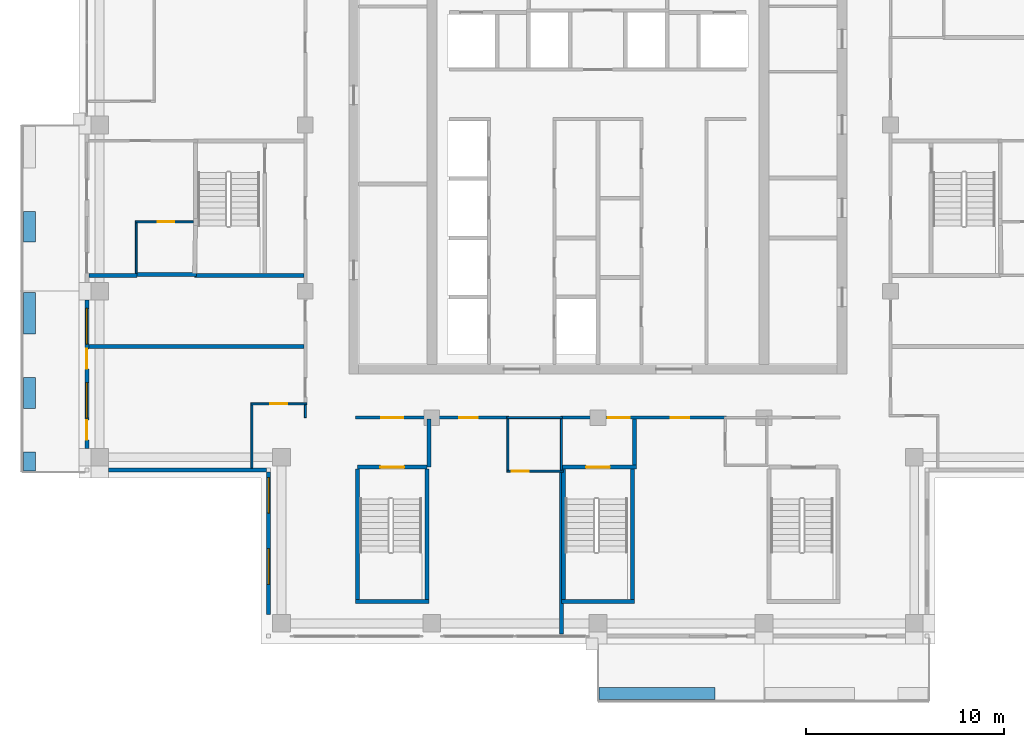
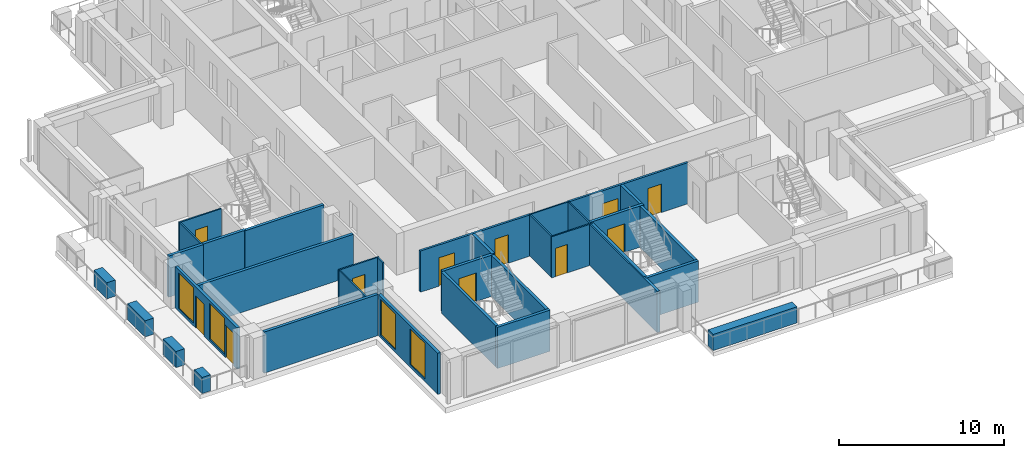
# One storey, part 8 of 17: 34 walls, 11 doors, 4 windows, 15 openings.
"""IFC4 building model written with IfcOpenShell, lengths in metres."""

from ifc_helpers import new_model, si_unit, direction, frame, frame_2d, origin, place, context, subcontext, project, spatial, rectangle, extrude, material, layer, layer_set, type_object, element, fill, save


model = new_model("IFC4")

# Units and contexts
model_context = context("Model", 3, precision=1e-05, world=origin(), true_north=direction((0.0, 1.0)))
body_context = subcontext(model_context, "Body", "Model", "MODEL_VIEW")
ifc_project = project(units=[si_unit("LENGTHUNIT", "METRE"), si_unit("AREAUNIT", "SQUARE_METRE"), si_unit("VOLUMEUNIT", "CUBIC_METRE"), si_unit("PLANEANGLEUNIT", "RADIAN"), si_unit("MASSUNIT", "GRAM", prefix="KILO")], contexts=[model_context])

# Site, building, storey
site_placement = place(None, origin())
site = spatial("IfcSite", under=ifc_project, at=site_placement, CompositionType="ELEMENT")
building_placement = place(site_placement, origin())
building = spatial("IfcBuilding", under=site, at=building_placement, Name="Vermilion Ogive Tower", CompositionType="ELEMENT")
storey_placement = place(building_placement, frame((0.0, 0.0, 244.14990234375)))
storey = spatial("IfcBuildingStorey", under=building, at=storey_placement, Name="L64", CompositionType="ELEMENT", Elevation=244.14990234375)

# Wall, opening, door
ifc_material_1 = material(Name="Gypsum board partition on steel studs", Category="steel")
ifc_layer_1 = layer(ifc_material_1, 0.10009765625)
ifc_layer_set_1 = layer_set([ifc_layer_1], Name="Partition 100 bath")
wall_type_1 = type_object("IfcWallType", Name="Partition 100 bath", PredefinedType="PARTITIONING", material=ifc_layer_set_1)
wall_1_placement = place(storey_placement, frame((-4.60009765625, -13.300048828125, 0.0), z_axis=(0.0, 0.0, 1.0), x_axis=(1.0, 0.0, 0.0)))
wall_1 = element("IfcWall", 1, at=wall_1_placement, inside=storey, type_object=wall_type_1, Name="L64-W-W002", PredefinedType="PARTITIONING", context=body_context, shape_type="SweptSolid", body=[
    extrude(rectangle(XDim=2.85009765625, YDim=0.10009765625, at=frame_2d((1.425048828125, 0.0))), origin(), (0.0, 0.0, 1.0), 3.050048828125),
])
opening_1_placement = place(wall_1_placement, frame((0.25, 0.0, 0.0)))
opening_1 = element("IfcOpeningElement", 2, at=opening_1_placement, cuts=wall_1, Name="Opening D5G3010", PredefinedType="OPENING", context=body_context, shape_type="SweptSolid", body=[
    extrude(rectangle(XDim=0.85009765625, YDim=2.10009765625, at=frame_2d((0.425048828125, 1.050048828125))), frame((0.0, 0.06005859375, 0.0), z_axis=(0.0, -1.0, 0.0), x_axis=(1.0, 0.0, 0.0)), (0.0, 0.0, 1.0), 0.1201171875),
])
ifc_material_2 = material(Name="Timber door leaf", Category="wood")
door_type_1 = type_object("IfcDoorType", Name="Bath door 850 x 2100 FD30", OperationType="SINGLE_SWING_LEFT", PredefinedType="DOOR", material=ifc_material_2)
door_1_placement = place(opening_1_placement, origin())
door_1 = element("IfcDoor", 3, at=door_1_placement, inside=storey, type_object=door_type_1, Name="L64-D-D010", OperationType="SINGLE_SWING_LEFT", OverallHeight=2.10009765625, OverallWidth=0.85009765625, PredefinedType="DOOR", context=body_context, shape_type="SweptSolid", body=[
    extrude(rectangle(XDim=0.85009765625, YDim=2.10009765625, at=frame_2d((0.425048828125, 1.050048828125))), frame((0.0, 0.02490234375, 0.0), z_axis=(0.0, -1.0, 0.0), x_axis=(1.0, 0.0, 0.0)), (0.0, 0.0, 1.0), 0.050048828125),
])
fill(opening_1, door_1)

# Wall
wall_2_placement = place(storey_placement, frame((-4.60009765625, -10.60009765625, 0.0), z_axis=(0.0, 0.0, 1.0), x_axis=(1.0, 0.0, 0.0)))
element("IfcWall", 4, at=wall_2_placement, inside=storey, type_object=wall_type_1, Name="L64-W-W008", PredefinedType="PARTITIONING", context=body_context, shape_type="SweptSolid", body=[
    extrude(rectangle(XDim=2.800048828125, YDim=0.10009765625, at=frame_2d((1.39990234375, 0.0))), origin(), (0.0, 0.0, 1.0), 3.050048828125),
])

# Wall, opening, door
wall_3_placement = place(storey_placement, frame((-17.550048828125, -9.89990234375, 0.0), z_axis=(0.0, 0.0, 1.0), x_axis=(1.0, 0.0, 0.0)))
wall_3 = element("IfcWall", 5, at=wall_3_placement, inside=storey, type_object=wall_type_1, Name="L64-W-W013", PredefinedType="PARTITIONING", context=body_context, shape_type="SweptSolid", body=[
    extrude(rectangle(XDim=2.824951171875, YDim=0.10009765625, at=frame_2d((1.41259765625, 0.0))), origin(), (0.0, 0.0, 1.0), 3.050048828125),
])
opening_2_placement = place(wall_3_placement, frame((0.97509765625, 0.0, 0.0)))
opening_2 = element("IfcOpeningElement", 6, at=opening_2_placement, cuts=wall_3, Name="Opening D5G3002", PredefinedType="OPENING", context=body_context, shape_type="SweptSolid", body=[
    extrude(rectangle(XDim=0.85009765625, YDim=2.10009765625, at=frame_2d((0.425048828125, 1.050048828125))), frame((0.0, 0.06005859375, 0.0), z_axis=(0.0, -1.0, 0.0), x_axis=(1.0, 0.0, 0.0)), (0.0, 0.0, 1.0), 0.1201171875),
])
door_2_placement = place(opening_2_placement, origin())
door_2 = element("IfcDoor", 7, at=door_2_placement, inside=storey, type_object=door_type_1, Name="L64-D-D002", OperationType="SINGLE_SWING_RIGHT", OverallHeight=2.10009765625, OverallWidth=0.85009765625, PredefinedType="DOOR", context=body_context, shape_type="SweptSolid", body=[
    extrude(rectangle(XDim=0.85009765625, YDim=2.10009765625, at=frame_2d((0.425048828125, 1.050048828125))), frame((0.0, 0.02490234375, 0.0), z_axis=(0.0, -1.0, 0.0), x_axis=(1.0, 0.0, 0.0)), (0.0, 0.0, 1.0), 0.050048828125),
])
fill(opening_2, door_2)

wall_4_placement = place(storey_placement, frame((-23.39990234375, -0.699951171875, 0.0), z_axis=(0.0, 0.0, 1.0), x_axis=(1.0, 0.0, 0.0)))
wall_4 = element("IfcWall", 8, at=wall_4_placement, inside=storey, type_object=wall_type_1, Name="L64-W-W022", PredefinedType="PARTITIONING", context=body_context, shape_type="SweptSolid", body=[
    extrude(rectangle(XDim=2.949951171875, YDim=0.10009765625, at=frame_2d((1.47509765625, 0.0))), origin(), (0.0, 0.0, 1.0), 3.050048828125),
])
opening_3_placement = place(wall_4_placement, frame((1.125, 0.0, 0.0)))
opening_3 = element("IfcOpeningElement", 9, at=opening_3_placement, cuts=wall_4, Name="Opening D5G3006", PredefinedType="OPENING", context=body_context, shape_type="SweptSolid", body=[
    extrude(rectangle(XDim=0.85009765625, YDim=2.10009765625, at=frame_2d((0.425048828125, 1.050048828125))), frame((0.0, 0.06005859375, 0.0), z_axis=(0.0, -1.0, 0.0), x_axis=(1.0, 0.0, 0.0)), (0.0, 0.0, 1.0), 0.1201171875),
])
door_3_placement = place(opening_3_placement, origin())
door_3 = element("IfcDoor", 10, at=door_3_placement, inside=storey, type_object=door_type_1, Name="L64-D-D006", OperationType="SINGLE_SWING_RIGHT", OverallHeight=2.10009765625, OverallWidth=0.85009765625, PredefinedType="DOOR", context=body_context, shape_type="SweptSolid", body=[
    extrude(rectangle(XDim=0.85009765625, YDim=2.10009765625, at=frame_2d((0.425048828125, 1.050048828125))), frame((0.0, 0.02490234375, 0.0), z_axis=(0.0, -1.0, 0.0), x_axis=(1.0, 0.0, 0.0)), (0.0, 0.0, 1.0), 0.050048828125),
])
fill(opening_3, door_3)

# Walls
wall_5_placement = place(storey_placement, frame((-23.35009765625, -3.300048828125, 0.0), z_axis=(0.0, 0.0, 1.0), x_axis=(0.0, 1.0, 0.0)))
element("IfcWall", 11, at=wall_5_placement, inside=storey, type_object=wall_type_1, Name="L64-W-W037", PredefinedType="PARTITIONING", context=body_context, shape_type="SweptSolid", body=[
    extrude(rectangle(XDim=2.550048828125, YDim=0.10009765625, at=frame_2d((1.27490234375, 0.0))), origin(), (0.0, 0.0, 1.0), 3.050048828125),
])
wall_6_placement = place(storey_placement, frame((-17.5, -13.14990234375, 0.0), z_axis=(0.0, 0.0, 1.0), x_axis=(0.0, 1.0, 0.0)))
element("IfcWall", 12, at=wall_6_placement, inside=storey, type_object=wall_type_1, Name="L64-W-W041", PredefinedType="PARTITIONING", context=body_context, shape_type="SweptSolid", body=[
    extrude(rectangle(XDim=3.199951171875, YDim=0.10009765625, at=frame_2d((1.60009765625, 0.0))), origin(), (0.0, 0.0, 1.0), 3.050048828125),
])
wall_7_placement = place(storey_placement, frame((-14.800048828125, -10.60009765625, 0.0), z_axis=(0.0, 0.0, 1.0), x_axis=(0.0, 1.0, 0.0)))
element("IfcWall", 13, at=wall_7_placement, inside=storey, type_object=wall_type_1, Name="L64-W-W043", PredefinedType="PARTITIONING", context=body_context, shape_type="SweptSolid", body=[
    extrude(rectangle(XDim=0.650146484375, YDim=0.10009765625, at=frame_2d((0.3251953125, 0.0))), origin(), (0.0, 0.0, 1.0), 3.050048828125),
])
for number, where, z_axis, x_axis, name in (
    (14, (-4.550048828125, -13.25, 0.0), (0.0, 0.0, 1.0), (0.0, 1.0, 0.0), "L64-W-W046"),
    (15, (-1.85009765625, -13.25, 0.0), (0.0, 0.0, 1.0), (0.0, 1.0, 0.0), "L64-W-W048"),
):
    element("IfcWall", number, at=place(storey_placement, frame(where, z_axis=z_axis, x_axis=x_axis)), inside=storey, type_object=wall_type_1, Name=name, PredefinedType="PARTITIONING", context=body_context, shape_type="SweptSolid", body=[
        extrude(rectangle(XDim=2.574951171875, YDim=0.10009765625, at=frame_2d((1.28759765625, 0.0))), origin(), (0.0, 0.0, 1.0), 3.050048828125),
    ])

# Wall, openings, doors
ifc_material_3 = material(Name="Gypsum board partition on steel studs", Category="steel")
ifc_layer_2 = layer(ifc_material_3, 0.14990234375)
ifc_layer_set_2 = layer_set([ifc_layer_2], Name="Partition 150 corridor")
wall_type_2 = type_object("IfcWallType", Name="Partition 150 corridor", PredefinedType="PARTITIONING", material=ifc_layer_set_2)
wall_8_placement = place(storey_placement, frame((-12.25, -10.60009765625, 0.0), z_axis=(0.0, 0.0, 1.0), x_axis=(1.0, 0.0, 0.0)))
wall_8 = element("IfcWall", 16, at=wall_8_placement, inside=storey, type_object=wall_type_2, Name="L64-W-W007", PredefinedType="PARTITIONING", context=body_context, shape_type="SweptSolid", body=[
    extrude(rectangle(XDim=7.75, YDim=0.14990234375, at=frame_2d((3.875, 0.0))), origin(), (0.0, 0.0, 1.0), 3.050048828125),
])
opening_4_placement = place(wall_8_placement, frame((5.22509765625, 0.0, 0.0)))
opening_4 = element("IfcOpeningElement", 17, at=opening_4_placement, cuts=wall_8, Name="Opening D5G3009", PredefinedType="OPENING", context=body_context, shape_type="SweptSolid", body=[
    extrude(rectangle(XDim=0.949951171875, YDim=2.10009765625, at=frame_2d((0.47509765625, 1.050048828125))), frame((0.0, 0.0849609375, 0.0), z_axis=(0.0, -1.0, 0.0), x_axis=(1.0, 0.0, 0.0)), (0.0, 0.0, 1.0), 0.169921875),
])
opening_5_placement = place(wall_8_placement, frame((1.300048828125, 0.0, 0.0)))
opening_5 = element("IfcOpeningElement", 18, at=opening_5_placement, cuts=wall_8, Name="Opening D5G3023", PredefinedType="OPENING", context=body_context, shape_type="SweptSolid", body=[
    extrude(rectangle(XDim=1.10009765625, YDim=2.10009765625, at=frame_2d((0.550048828125, 1.050048828125))), frame((0.0, 0.0849609375, 0.0), z_axis=(0.0, -1.0, 0.0), x_axis=(1.0, 0.0, 0.0)), (0.0, 0.0, 1.0), 0.169921875),
])
ifc_material_4 = material(Name="Timber door leaf", Category="wood")
door_type_2 = type_object("IfcDoorType", Name="Stair door 1100 x 2100 FD60S", OperationType="SINGLE_SWING_LEFT", PredefinedType="DOOR", material=ifc_material_4)
door_4_placement = place(opening_5_placement, origin())
door_4 = element("IfcDoor", 19, at=door_4_placement, inside=storey, type_object=door_type_2, Name="L64-D-D023", OperationType="SINGLE_SWING_RIGHT", OverallHeight=2.10009765625, OverallWidth=1.10009765625, PredefinedType="DOOR", context=body_context, shape_type="SweptSolid", body=[
    extrude(rectangle(XDim=1.10009765625, YDim=2.10009765625, at=frame_2d((0.550048828125, 1.050048828125))), frame((0.0, 0.02490234375, 0.0), z_axis=(0.0, -1.0, 0.0), x_axis=(1.0, 0.0, 0.0)), (0.0, 0.0, 1.0), 0.050048828125),
])
fill(opening_5, door_4)
ifc_material_5 = material(Name="Timber door leaf", Category="wood")
door_type_3 = type_object("IfcDoorType", Name="Unit door 950 x 2100 FD30S", OperationType="SINGLE_SWING_LEFT", PredefinedType="DOOR", material=ifc_material_5)
door_5_placement = place(opening_4_placement, origin())
door_5 = element("IfcDoor", 20, at=door_5_placement, inside=storey, type_object=door_type_3, Name="L64-D-D009", OperationType="SINGLE_SWING_LEFT", OverallHeight=2.10009765625, OverallWidth=0.949951171875, PredefinedType="DOOR", context=body_context, shape_type="SweptSolid", body=[
    extrude(rectangle(XDim=0.949951171875, YDim=2.10009765625, at=frame_2d((0.47509765625, 1.050048828125))), frame((0.0, 0.02490234375, 0.0), z_axis=(0.0, -1.0, 0.0), x_axis=(1.0, 0.0, 0.0)), (0.0, 0.0, 1.0), 0.050048828125),
])
fill(opening_4, door_5)

wall_9_placement = place(storey_placement, frame((-1.89990234375, -10.60009765625, 0.0), z_axis=(0.0, 0.0, 1.0), x_axis=(1.0, 0.0, 0.0)))
wall_9 = element("IfcWall", 21, at=wall_9_placement, inside=storey, type_object=wall_type_2, Name="L64-W-W009", PredefinedType="PARTITIONING", context=body_context, shape_type="SweptSolid", body=[
    extrude(rectangle(XDim=8.39990234375, YDim=0.14990234375, at=frame_2d((4.199951171875, 0.0))), origin(), (0.0, 0.0, 1.0), 3.050048828125),
])
opening_6_placement = place(wall_9_placement, frame((5.574951171875, 0.0, 0.0)))
opening_6 = element("IfcOpeningElement", 22, at=opening_6_placement, cuts=wall_9, Name="Opening D5G3011", PredefinedType="OPENING", context=body_context, shape_type="SweptSolid", body=[
    extrude(rectangle(XDim=0.949951171875, YDim=2.10009765625, at=frame_2d((0.47509765625, 1.050048828125))), frame((0.0, 0.0849609375, 0.0), z_axis=(0.0, -1.0, 0.0), x_axis=(1.0, 0.0, 0.0)), (0.0, 0.0, 1.0), 0.169921875),
])
opening_7_placement = place(wall_9_placement, frame((2.39990234375, 0.0, 0.0)))
opening_7 = element("IfcOpeningElement", 23, at=opening_7_placement, cuts=wall_9, Name="Opening D5G3025", PredefinedType="OPENING", context=body_context, shape_type="SweptSolid", body=[
    extrude(rectangle(XDim=1.10009765625, YDim=2.10009765625, at=frame_2d((0.550048828125, 1.050048828125))), frame((0.0, 0.0849609375, 0.0), z_axis=(0.0, -1.0, 0.0), x_axis=(1.0, 0.0, 0.0)), (0.0, 0.0, 1.0), 0.169921875),
])
door_6_placement = place(opening_7_placement, origin())
door_6 = element("IfcDoor", 24, at=door_6_placement, inside=storey, type_object=door_type_2, Name="L64-D-D025", OperationType="SINGLE_SWING_LEFT", OverallHeight=2.10009765625, OverallWidth=1.10009765625, PredefinedType="DOOR", context=body_context, shape_type="SweptSolid", body=[
    extrude(rectangle(XDim=1.10009765625, YDim=2.10009765625, at=frame_2d((0.550048828125, 1.050048828125))), frame((0.0, 0.02490234375, 0.0), z_axis=(0.0, -1.0, 0.0), x_axis=(1.0, 0.0, 0.0)), (0.0, 0.0, 1.0), 0.050048828125),
])
fill(opening_7, door_6)
door_7_placement = place(opening_6_placement, origin())
door_7 = element("IfcDoor", 25, at=door_7_placement, inside=storey, type_object=door_type_3, Name="L64-D-D011", OperationType="SINGLE_SWING_LEFT", OverallHeight=2.10009765625, OverallWidth=0.949951171875, PredefinedType="DOOR", context=body_context, shape_type="SweptSolid", body=[
    extrude(rectangle(XDim=0.949951171875, YDim=2.10009765625, at=frame_2d((0.47509765625, 1.050048828125))), frame((0.0, 0.02490234375, 0.0), z_axis=(0.0, -1.0, 0.0), x_axis=(1.0, 0.0, 0.0)), (0.0, 0.0, 1.0), 0.050048828125),
])
fill(opening_6, door_7)

# Walls
ifc_material_6 = material(Name="Gypsum board partition on steel studs", Category="steel")
ifc_layer_3 = layer(ifc_material_6, 0.199951171875)
ifc_layer_set_3 = layer_set([ifc_layer_3], Name="Partition 200 party")
wall_type_3 = type_object("IfcWallType", Name="Partition 200 party", PredefinedType="PARTITIONING", material=ifc_layer_set_3)
wall_10_placement = place(storey_placement, frame((-25.75, -7.0, 0.0), z_axis=(0.0, 0.0, 1.0), x_axis=(1.0, 0.0, 0.0)))
element("IfcWall", 26, at=wall_10_placement, inside=storey, type_object=wall_type_3, Name="L64-W-W014", PredefinedType="PARTITIONING", context=body_context, shape_type="SweptSolid", body=[
    extrude(rectangle(XDim=10.875, YDim=0.199951171875, at=frame_2d((5.4375, 0.0))), origin(), (0.0, 0.0, 1.0), 3.050048828125),
])
wall_11_placement = place(storey_placement, frame((-25.75, -3.39990234375, 0.0), z_axis=(0.0, 0.0, 1.0), x_axis=(1.0, 0.0, 0.0)))
element("IfcWall", 27, at=wall_11_placement, inside=storey, type_object=wall_type_3, Name="L64-W-W016", PredefinedType="PARTITIONING", context=body_context, shape_type="SweptSolid", body=[
    extrude(rectangle(XDim=2.449951171875, YDim=0.199951171875, at=frame_2d((1.22509765625, 0.0))), origin(), (0.0, 0.0, 1.0), 3.050048828125),
])
wall_12_placement = place(storey_placement, frame((-8.550048828125, -13.10009765625, 0.0), z_axis=(0.0, 0.0, 1.0), x_axis=(0.0, 1.0, 0.0)))
element("IfcWall", 28, at=wall_12_placement, inside=storey, type_object=wall_type_3, Name="L64-W-W045", PredefinedType="PARTITIONING", context=body_context, shape_type="SweptSolid", body=[
    extrude(rectangle(XDim=2.425048828125, YDim=0.199951171875, at=frame_2d((1.21240234375, 0.0))), origin(), (0.0, 0.0, 1.0), 3.050048828125),
])
wall_13_placement = place(storey_placement, frame((1.85009765625, -12.998046875, 0.0), z_axis=(0.0, 0.0, 1.0), x_axis=(0.0, 1.0, 0.0)))
element("IfcWall", 29, at=wall_13_placement, inside=storey, type_object=wall_type_3, Name="L64-W-W051", PredefinedType="PARTITIONING", context=body_context, shape_type="SweptSolid", body=[
    extrude(rectangle(XDim=2.322998046875, YDim=0.199951171875, at=frame_2d((1.16162109375, 0.0))), origin(), (0.0, 0.0, 1.0), 3.050048828125),
])
ifc_material_7 = material(Name="Concrete B60", Category="concrete")
ifc_layer_4 = layer(ifc_material_7, 0.199951171875)
ifc_layer_set_4 = layer_set([ifc_layer_4], Name="Stair shaft wall 200 Concrete B60")
wall_type_4 = type_object("IfcWallType", Name="Stair shaft wall 200 Concrete B60", PredefinedType="SOLIDWALL", material=ifc_layer_set_4)
wall_14_placement = place(storey_placement, frame((-1.847900390625, -19.89990234375, 0.0), z_axis=(0.0, 0.0, 1.0), x_axis=(1.0, 0.0, 0.0)))
element("IfcWall", 30, at=wall_14_placement, inside=storey, type_object=wall_type_4, Name="L64-W-W001", PredefinedType="SOLIDWALL", context=body_context, shape_type="SweptSolid", body=[
    extrude(rectangle(XDim=3.69580078125, YDim=0.199951171875, at=frame_2d((1.847900390625, 0.0))), origin(), (0.0, 0.0, 1.0), 3.050048828125),
])

# Wall, opening, door
wall_15_placement = place(storey_placement, frame((-12.14990234375, -13.10009765625, 0.0), z_axis=(0.0, 0.0, 1.0), x_axis=(1.0, 0.0, 0.0)))
wall_15 = element("IfcWall", 31, at=wall_15_placement, inside=storey, type_object=wall_type_4, Name="L64-W-W003", PredefinedType="SOLIDWALL", context=body_context, shape_type="SweptSolid", body=[
    extrude(rectangle(XDim=3.5, YDim=0.199951171875, at=frame_2d((1.75, 0.0))), origin(), (0.0, 0.0, 1.0), 3.050048828125),
])
opening_8_placement = place(wall_15_placement, frame((1.14990234375, 0.0, 0.0)))
opening_8 = element("IfcOpeningElement", 32, at=opening_8_placement, cuts=wall_15, Name="Opening D5G3024", PredefinedType="OPENING", context=body_context, shape_type="SweptSolid", body=[
    extrude(rectangle(XDim=1.199951171875, YDim=2.10009765625, at=frame_2d((0.60009765625, 1.050048828125))), frame((0.0, 0.10986328125, 0.0), z_axis=(0.0, -1.0, 0.0), x_axis=(1.0, 0.0, 0.0)), (0.0, 0.0, 1.0), 0.219970703125),
])
ifc_material_8 = material(Name="Timber door leaf", Category="wood")
door_type_4 = type_object("IfcDoorType", Name="Stair door 1200 x 2100 FD60S", OperationType="SINGLE_SWING_LEFT", PredefinedType="DOOR", material=ifc_material_8)
door_8_placement = place(opening_8_placement, origin())
door_8 = element("IfcDoor", 33, at=door_8_placement, inside=storey, type_object=door_type_4, Name="L64-D-D024", OperationType="SINGLE_SWING_RIGHT", OverallHeight=2.10009765625, OverallWidth=1.199951171875, PredefinedType="DOOR", context=body_context, shape_type="SweptSolid", body=[
    extrude(rectangle(XDim=1.199951171875, YDim=2.10009765625, at=frame_2d((0.60009765625, 1.050048828125))), frame((0.0, 0.02490234375, 0.0), z_axis=(0.0, -1.0, 0.0), x_axis=(1.0, 0.0, 0.0)), (0.0, 0.0, 1.0), 0.050048828125),
])
fill(opening_8, door_8)

wall_16_placement = place(storey_placement, frame((-1.798095703125, -13.10009765625, 0.0), z_axis=(0.0, 0.0, 1.0), x_axis=(1.0, 0.0, 0.0)))
wall_16 = element("IfcWall", 34, at=wall_16_placement, inside=storey, type_object=wall_type_4, Name="L64-W-W004", PredefinedType="SOLIDWALL", context=body_context, shape_type="SweptSolid", body=[
    extrude(rectangle(XDim=3.74609375, YDim=0.199951171875, at=frame_2d((1.873046875, 0.0))), origin(), (0.0, 0.0, 1.0), 3.050048828125),
])
opening_9_placement = place(wall_16_placement, frame((1.197998046875, 0.0, 0.0)))
opening_9 = element("IfcOpeningElement", 35, at=opening_9_placement, cuts=wall_16, Name="Opening D5G3026", PredefinedType="OPENING", context=body_context, shape_type="SweptSolid", body=[
    extrude(rectangle(XDim=1.199951171875, YDim=2.10009765625, at=frame_2d((0.60009765625, 1.050048828125))), frame((0.0, 0.10986328125, 0.0), z_axis=(0.0, -1.0, 0.0), x_axis=(1.0, 0.0, 0.0)), (0.0, 0.0, 1.0), 0.219970703125),
])
door_9_placement = place(opening_9_placement, origin())
door_9 = element("IfcDoor", 36, at=door_9_placement, inside=storey, type_object=door_type_4, Name="L64-D-D026", OperationType="SINGLE_SWING_RIGHT", OverallHeight=2.10009765625, OverallWidth=1.199951171875, PredefinedType="DOOR", context=body_context, shape_type="SweptSolid", body=[
    extrude(rectangle(XDim=1.199951171875, YDim=2.10009765625, at=frame_2d((0.60009765625, 1.050048828125))), frame((0.0, 0.02490234375, 0.0), z_axis=(0.0, -1.0, 0.0), x_axis=(1.0, 0.0, 0.0)), (0.0, 0.0, 1.0), 0.050048828125),
])
fill(opening_9, door_9)

# Walls
wall_17_placement = place(storey_placement, frame((-23.39990234375, -3.349853515625, 0.0), z_axis=(0.0, 0.0, 1.0), x_axis=(1.0, 0.0, 0.0)))
element("IfcWall", 37, at=wall_17_placement, inside=storey, type_object=wall_type_4, Name="L64-W-W017", PredefinedType="SOLIDWALL", context=body_context, shape_type="SweptSolid", body=[
    extrude(rectangle(XDim=3.099853515625, YDim=0.199951171875, at=frame_2d((1.5498046875, 0.0))), origin(), (0.0, 0.0, 1.0), 3.050048828125),
])
wall_18_placement = place(storey_placement, frame((-20.39990234375, -3.39990234375, 0.0), z_axis=(0.0, 0.0, 1.0), x_axis=(1.0, 0.0, 0.0)))
element("IfcWall", 38, at=wall_18_placement, inside=storey, type_object=wall_type_4, Name="L64-W-W018", PredefinedType="SOLIDWALL", context=body_context, shape_type="SweptSolid", body=[
    extrude(rectangle(XDim=5.52490234375, YDim=0.199951171875, at=frame_2d((2.762451171875, 0.0))), origin(), (0.0, 0.0, 1.0), 3.050048828125),
])
for number, where, z_axis, x_axis, name in (
    (39, (-1.75, -19.798095703125, 0.0), (0.0, 0.0, 1.0), (0.0, 1.0, 0.0), "L64-W-W049"),
    (40, (1.75, -19.798095703125, 0.0), (0.0, 0.0, 1.0), (0.0, 1.0, 0.0), "L64-W-W050"),
):
    element("IfcWall", number, at=place(storey_placement, frame(where, z_axis=z_axis, x_axis=x_axis)), inside=storey, type_object=wall_type_4, Name=name, PredefinedType="SOLIDWALL", context=body_context, shape_type="SweptSolid", body=[
        extrude(rectangle(XDim=6.59619140625, YDim=0.199951171875, at=frame_2d((3.298095703125, 0.0))), origin(), (0.0, 0.0, 1.0), 3.050048828125),
    ])
wall_19_placement = place(storey_placement, frame((-12.25, -19.89990234375, 0.0), z_axis=(0.0, 0.0, 1.0), x_axis=(1.0, 0.0, 0.0)))
element("IfcWall", 41, at=wall_19_placement, inside=storey, type_object=wall_type_4, Name="L64-SW-ST3-S1", PredefinedType="SOLIDWALL", context=body_context, shape_type="SweptSolid", body=[
    extrude(rectangle(XDim=3.699951171875, YDim=0.199951171875, at=frame_2d((1.85009765625, 0.0))), origin(), (0.0, 0.0, 1.0), 3.050048828125),
])
for number, where, z_axis, x_axis, name in (
    (42, (-12.14990234375, -19.800048828125, 0.0), (0.0, 0.0, 1.0), (0.0, 1.0, 0.0), "L64-SW-ST3-W1"),
    (43, (-8.64990234375, -19.800048828125, 0.0), (0.0, 0.0, 1.0), (0.0, 1.0, 0.0), "L64-SW-ST3-E1"),
):
    element("IfcWall", number, at=place(storey_placement, frame(where, z_axis=z_axis, x_axis=x_axis)), inside=storey, type_object=wall_type_4, Name=name, PredefinedType="SOLIDWALL", context=body_context, shape_type="SweptSolid", body=[
        extrude(rectangle(XDim=6.60009765625, YDim=0.199951171875, at=frame_2d((3.300048828125, 0.0))), origin(), (0.0, 0.0, 1.0), 3.050048828125),
    ])
wall_20_placement = place(storey_placement, frame((-1.85009765625, -21.550048828125, 0.0), z_axis=(0.0, 0.0, 1.0), x_axis=(0.0, 1.0, 0.0)))
element("IfcWall", 44, at=wall_20_placement, inside=storey, type_object=wall_type_4, Name="L64-W-W047-A", PredefinedType="SOLIDWALL", context=body_context, shape_type="SweptSolid", body=[
    extrude(rectangle(XDim=8.199951171875, YDim=0.199951171875, at=frame_2d((4.10009765625, 0.0))), origin(), (0.0, 0.0, 1.0), 3.050048828125),
])
ifc_material_9 = material(Name="Concrete B40", Category="concrete")
ifc_layer_5 = layer(ifc_material_9, 0.60009765625)
ifc_layer_set_5 = layer_set([ifc_layer_5], Name="Structural planter")
wall_type_5 = type_object("IfcWallType", Name="Structural planter", PredefinedType="USERDEFINED", material=ifc_layer_set_5)
wall_21_placement = place(storey_placement, frame((0.06005859375, -24.550048828125, -0.039794921875), z_axis=(0.0, 0.0, 1.0), x_axis=(1.0, 0.0, 0.0)))
element("IfcWall", 45, at=wall_21_placement, inside=storey, type_object=wall_type_5, Name="Planter S03A1", ObjectType="PLANTER", PredefinedType="USERDEFINED", context=body_context, shape_type="SweptSolid", body=[
    extrude(rectangle(XDim=5.864990234375, YDim=0.60009765625, at=frame_2d((2.9326171875, 0.0))), origin(), (0.0, 0.0, 1.0), 1.199951171875),
])
wall_22_placement = place(storey_placement, frame((-28.75, -0.175048828125, -0.039794921875), z_axis=(0.0, 0.0, 1.0), x_axis=(0.0, -1.0, 0.0)))
element("IfcWall", 46, at=wall_22_placement, inside=storey, type_object=wall_type_5, Name="Planter W02A2", ObjectType="PLANTER", PredefinedType="USERDEFINED", context=body_context, shape_type="SweptSolid", body=[
    extrude(rectangle(XDim=1.550048828125, YDim=0.60009765625, at=frame_2d((0.77490234375, 0.0))), origin(), (0.0, 0.0, 1.0), 1.199951171875),
])
wall_23_placement = place(storey_placement, frame((-28.75, -4.260009765625, -0.039794921875), z_axis=(0.0, 0.0, 1.0), x_axis=(0.0, -1.0, 0.0)))
element("IfcWall", 47, at=wall_23_placement, inside=storey, type_object=wall_type_5, Name="Planter W03A1", ObjectType="PLANTER", PredefinedType="USERDEFINED", context=body_context, shape_type="SweptSolid", body=[
    extrude(rectangle(XDim=2.114990234375, YDim=0.60009765625, at=frame_2d((1.0576171875, 0.0))), origin(), (0.0, 0.0, 1.0), 1.199951171875),
])
wall_24_placement = place(storey_placement, frame((-28.75, -8.574951171875, -0.039794921875), z_axis=(0.0, 0.0, 1.0), x_axis=(0.0, -1.0, 0.0)))
element("IfcWall", 48, at=wall_24_placement, inside=storey, type_object=wall_type_5, Name="Planter W03A2", ObjectType="PLANTER", PredefinedType="USERDEFINED", context=body_context, shape_type="SweptSolid", body=[
    extrude(rectangle(XDim=1.550048828125, YDim=0.60009765625, at=frame_2d((0.77490234375, 0.0))), origin(), (0.0, 0.0, 1.0), 1.199951171875),
])
wall_25_placement = place(storey_placement, frame((-28.75, -12.324951171875, -0.039794921875), z_axis=(0.0, 0.0, 1.0), x_axis=(0.0, -1.0, 0.0)))
element("IfcWall", 49, at=wall_25_placement, inside=storey, type_object=wall_type_5, Name="Planter W03A3", ObjectType="PLANTER", PredefinedType="USERDEFINED", context=body_context, shape_type="SweptSolid", body=[
    extrude(rectangle(XDim=0.965087890625, YDim=0.60009765625, at=frame_2d((0.482421875, 0.0))), origin(), (0.0, 0.0, 1.0), 1.199951171875),
])

# Wall, openings, doors, windows
ifc_material_10 = material(Name="Aluminium window wall framing", Category="aluminium")
ifc_layer_6 = layer(ifc_material_10, 0.199951171875)
ifc_layer_set_6 = layer_set([ifc_layer_6], Name="Window wall")
wall_type_6 = type_object("IfcWallType", Name="Window wall", PredefinedType="STANDARD", material=ifc_layer_set_6)
wall_26_placement = place(storey_placement, frame((-25.85009765625, -4.64990234375, 0.0), z_axis=(0.0, 0.0, 1.0), x_axis=(0.0, -1.0, 0.0)))
wall_26 = element("IfcWall", 50, at=wall_26_placement, inside=storey, type_object=wall_type_6, Name="Window wall W3", PredefinedType="STANDARD", context=body_context, shape_type="SweptSolid", body=[
    extrude(rectangle(XDim=7.5, YDim=0.199951171875, at=frame_2d((3.75, 0.0))), origin(), (0.0, 0.0, 1.0), 3.050048828125),
])
opening_10_placement = place(wall_26_placement, frame((4.175048828125, 0.0, 0.199951171875)))
opening_10 = element("IfcOpeningElement", 51, at=opening_10_placement, cuts=wall_26, Name="Opening W1-W97", PredefinedType="OPENING", context=body_context, shape_type="SweptSolid", body=[
    extrude(rectangle(XDim=1.800048828125, YDim=2.64990234375, at=frame_2d((0.89990234375, 1.324951171875))), frame((0.0, 0.10986328125, 0.0), z_axis=(0.0, -1.0, 0.0), x_axis=(1.0, 0.0, 0.0)), (0.0, 0.0, 1.0), 0.219970703125),
])
opening_11_placement = place(wall_26_placement, frame((6.074951171875, 0.0, 0.0)))
opening_11 = element("IfcOpeningElement", 52, at=opening_11_placement, cuts=wall_26, Name="Opening D1-W97", PredefinedType="OPENING", context=body_context, shape_type="SweptSolid", body=[
    extrude(rectangle(XDim=1.0, YDim=2.39990234375, at=frame_2d((0.5, 1.199951171875))), frame((0.0, 0.10986328125, 0.0), z_axis=(0.0, -1.0, 0.0), x_axis=(1.0, 0.0, 0.0)), (0.0, 0.0, 1.0), 0.219970703125),
])
opening_12_placement = place(wall_26_placement, frame((0.425048828125, 0.0, 0.199951171875)))
opening_12 = element("IfcOpeningElement", 53, at=opening_12_placement, cuts=wall_26, Name="Opening W1-W98", PredefinedType="OPENING", context=body_context, shape_type="SweptSolid", body=[
    extrude(rectangle(XDim=1.800048828125, YDim=2.64990234375, at=frame_2d((0.89990234375, 1.324951171875))), frame((0.0, 0.10986328125, 0.0), z_axis=(0.0, -1.0, 0.0), x_axis=(1.0, 0.0, 0.0)), (0.0, 0.0, 1.0), 0.219970703125),
])
opening_13_placement = place(wall_26_placement, frame((2.47509765625, 0.0, 0.0)))
opening_13 = element("IfcOpeningElement", 54, at=opening_13_placement, cuts=wall_26, Name="Opening D1-W98", PredefinedType="OPENING", context=body_context, shape_type="SweptSolid", body=[
    extrude(rectangle(XDim=1.0, YDim=2.39990234375, at=frame_2d((0.5, 1.199951171875))), frame((0.0, 0.10986328125, 0.0), z_axis=(0.0, -1.0, 0.0), x_axis=(1.0, 0.0, 0.0)), (0.0, 0.0, 1.0), 0.219970703125),
])
ifc_material_11 = material(Name="Aluminium framed glazed door", Category="aluminium")
door_type_5 = type_object("IfcDoorType", Name="Balcony door D1", OperationType="SINGLE_SWING_LEFT", PredefinedType="DOOR", material=ifc_material_11)
door_10_placement = place(opening_11_placement, origin())
door_10 = element("IfcDoor", 55, at=door_10_placement, inside=storey, type_object=door_type_5, Name="Balcony door W97", OperationType="SINGLE_SWING_LEFT", OverallHeight=2.39990234375, OverallWidth=1.0, PredefinedType="DOOR", context=body_context, shape_type="SweptSolid", body=[
    extrude(rectangle(XDim=1.0, YDim=2.39990234375, at=frame_2d((0.5, 1.199951171875))), frame((0.0, 0.02490234375, 0.0), z_axis=(0.0, -1.0, 0.0), x_axis=(1.0, 0.0, 0.0)), (0.0, 0.0, 1.0), 0.050048828125),
])
fill(opening_11, door_10)
door_11_placement = place(opening_13_placement, origin())
door_11 = element("IfcDoor", 56, at=door_11_placement, inside=storey, type_object=door_type_5, Name="Balcony door W98", OperationType="SINGLE_SWING_LEFT", OverallHeight=2.39990234375, OverallWidth=1.0, PredefinedType="DOOR", context=body_context, shape_type="SweptSolid", body=[
    extrude(rectangle(XDim=1.0, YDim=2.39990234375, at=frame_2d((0.5, 1.199951171875))), frame((0.0, 0.02490234375, 0.0), z_axis=(0.0, -1.0, 0.0), x_axis=(1.0, 0.0, 0.0)), (0.0, 0.0, 1.0), 0.050048828125),
])
fill(opening_13, door_11)
ifc_material_12 = material(Name="Aluminium framed double glazing", Category="aluminium")
window_type = type_object("IfcWindowType", Name="Guest window W1", PartitioningType="SINGLE_PANEL", PredefinedType="WINDOW", material=ifc_material_12)
window_1_placement = place(opening_10_placement, origin())
window_1 = element("IfcWindow", 57, at=window_1_placement, inside=storey, type_object=window_type, Name="Window W97", OverallHeight=2.64990234375, OverallWidth=1.800048828125, PartitioningType="SINGLE_PANEL", PredefinedType="WINDOW", context=body_context, shape_type="SweptSolid", body=[
    extrude(rectangle(XDim=1.800048828125, YDim=2.64990234375, at=frame_2d((0.89990234375, 1.324951171875))), frame((0.0, 0.030029296875, 0.0), z_axis=(0.0, -1.0, 0.0), x_axis=(1.0, 0.0, 0.0)), (0.0, 0.0, 1.0), 0.06005859375),
])
fill(opening_10, window_1)
window_2_placement = place(opening_12_placement, origin())
window_2 = element("IfcWindow", 58, at=window_2_placement, inside=storey, type_object=window_type, Name="Window W98", OverallHeight=2.64990234375, OverallWidth=1.800048828125, PartitioningType="SINGLE_PANEL", PredefinedType="WINDOW", context=body_context, shape_type="SweptSolid", body=[
    extrude(rectangle(XDim=1.800048828125, YDim=2.64990234375, at=frame_2d((0.89990234375, 1.324951171875))), frame((0.0, 0.030029296875, 0.0), z_axis=(0.0, -1.0, 0.0), x_axis=(1.0, 0.0, 0.0)), (0.0, 0.0, 1.0), 0.06005859375),
])
fill(opening_12, window_2)

# Wall
wall_27_placement = place(storey_placement, frame((-24.75, -13.25, 0.0), z_axis=(0.0, 0.0, 1.0), x_axis=(1.0, 0.0, 0.0)))
element("IfcWall", 59, at=wall_27_placement, inside=storey, type_object=wall_type_6, Name="Window wall X71", PredefinedType="STANDARD", context=body_context, shape_type="SweptSolid", body=[
    extrude(rectangle(XDim=8.0, YDim=0.199951171875, at=frame_2d((4.0, 0.0))), origin(), (0.0, 0.0, 1.0), 3.050048828125),
])

# Wall, openings, windows
wall_28_placement = place(storey_placement, frame((-16.64990234375, -13.35009765625, 0.0), z_axis=(0.0, 0.0, 1.0), x_axis=(0.0, -1.0, 0.0)))
wall_28 = element("IfcWall", 60, at=wall_28_placement, inside=storey, type_object=wall_type_6, Name="Window wall X81", PredefinedType="STANDARD", context=body_context, shape_type="SweptSolid", body=[
    extrude(rectangle(XDim=7.199951171875, YDim=0.199951171875, at=frame_2d((3.60009765625, 0.0))), origin(), (0.0, 0.0, 1.0), 3.050048828125),
])
opening_14_placement = place(wall_28_placement, frame((3.875, 0.0, 0.199951171875)))
opening_14 = element("IfcOpeningElement", 61, at=opening_14_placement, cuts=wall_28, Name="Opening W1-X895", PredefinedType="OPENING", context=body_context, shape_type="SweptSolid", body=[
    extrude(rectangle(XDim=1.800048828125, YDim=2.64990234375, at=frame_2d((0.89990234375, 1.324951171875))), frame((0.0, 0.10986328125, 0.0), z_axis=(0.0, -1.0, 0.0), x_axis=(1.0, 0.0, 0.0)), (0.0, 0.0, 1.0), 0.219970703125),
])
opening_15_placement = place(wall_28_placement, frame((0.27490234375, 0.0, 0.199951171875)))
opening_15 = element("IfcOpeningElement", 62, at=opening_15_placement, cuts=wall_28, Name="Opening W1-X896", PredefinedType="OPENING", context=body_context, shape_type="SweptSolid", body=[
    extrude(rectangle(XDim=1.800048828125, YDim=2.64990234375, at=frame_2d((0.89990234375, 1.324951171875))), frame((0.0, 0.10986328125, 0.0), z_axis=(0.0, -1.0, 0.0), x_axis=(1.0, 0.0, 0.0)), (0.0, 0.0, 1.0), 0.219970703125),
])
window_3_placement = place(opening_14_placement, origin())
window_3 = element("IfcWindow", 63, at=window_3_placement, inside=storey, type_object=window_type, Name="Window X895", OverallHeight=2.64990234375, OverallWidth=1.800048828125, PartitioningType="SINGLE_PANEL", PredefinedType="WINDOW", context=body_context, shape_type="SweptSolid", body=[
    extrude(rectangle(XDim=1.800048828125, YDim=2.64990234375, at=frame_2d((0.89990234375, 1.324951171875))), frame((0.0, 0.030029296875, 0.0), z_axis=(0.0, -1.0, 0.0), x_axis=(1.0, 0.0, 0.0)), (0.0, 0.0, 1.0), 0.06005859375),
])
fill(opening_14, window_3)
window_4_placement = place(opening_15_placement, origin())
window_4 = element("IfcWindow", 64, at=window_4_placement, inside=storey, type_object=window_type, Name="Window X896", OverallHeight=2.64990234375, OverallWidth=1.800048828125, PartitioningType="SINGLE_PANEL", PredefinedType="WINDOW", context=body_context, shape_type="SweptSolid", body=[
    extrude(rectangle(XDim=1.800048828125, YDim=2.64990234375, at=frame_2d((0.89990234375, 1.324951171875))), frame((0.0, 0.030029296875, 0.0), z_axis=(0.0, -1.0, 0.0), x_axis=(1.0, 0.0, 0.0)), (0.0, 0.0, 1.0), 0.06005859375),
])
fill(opening_15, window_4)

save(model, "model.ifc")
